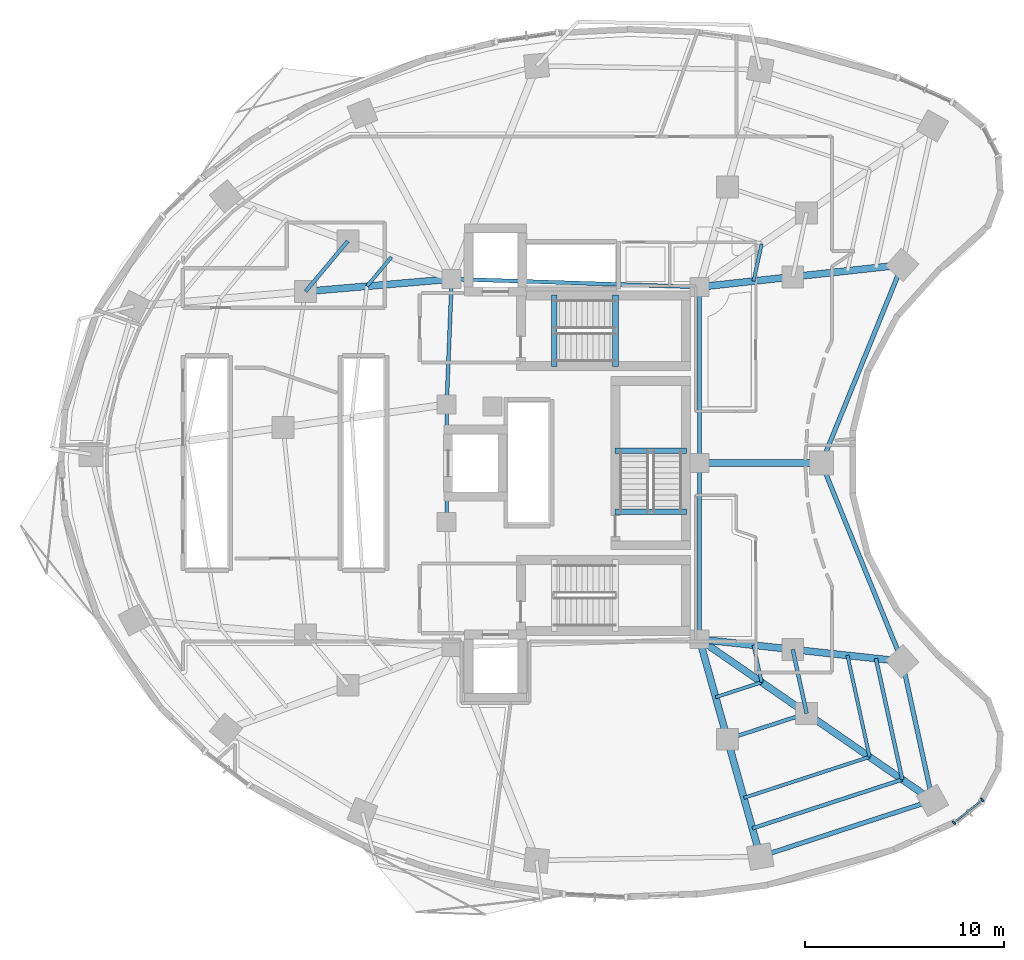
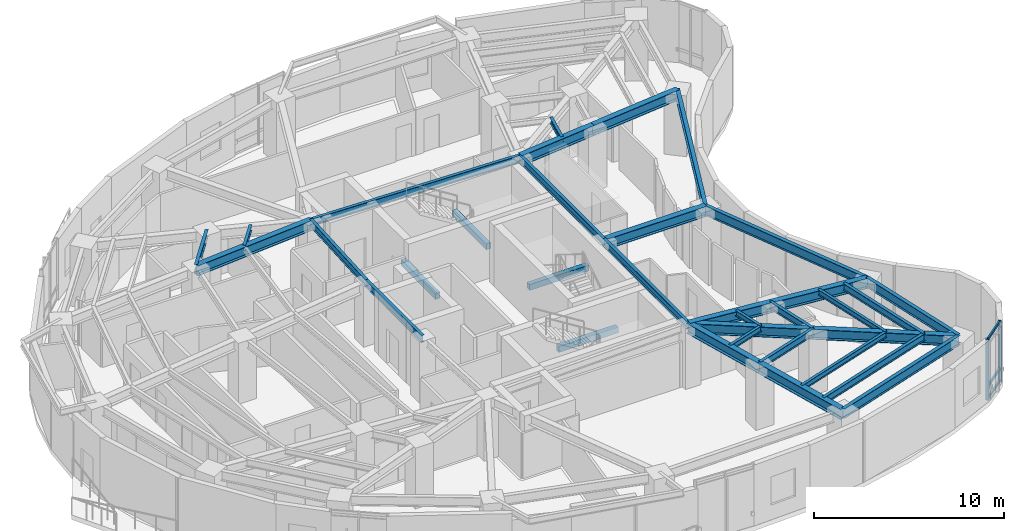
# One storey, part 3 of 13: 34 beams, 5 members, 1 element without a shape of its own.
"""IFC4 building model written with IfcOpenShell, lengths in metres."""

from ifc_helpers import new_model, si_unit, direction, frame, origin, origin_2d, place, context, subcontext, project, spatial, rectangle, i_section, extrude, material, layer, layer_set, material_profile, profile_set, type_object, element, aggregate, save


model = new_model("IFC4")

# Units and contexts
model_context = context("Model", 3, precision=1e-05, world=origin(), true_north=direction((0.0, 1.0)))
body_context = subcontext(model_context, "Body", "Model", "MODEL_VIEW")
ifc_project = project(units=[si_unit("LENGTHUNIT", "METRE"), si_unit("AREAUNIT", "SQUARE_METRE"), si_unit("VOLUMEUNIT", "CUBIC_METRE"), si_unit("PLANEANGLEUNIT", "RADIAN"), si_unit("MASSUNIT", "GRAM", prefix="KILO")], contexts=[model_context])

# Site, building, storey
site_placement = place(None, origin())
site = spatial("IfcSite", under=ifc_project, at=site_placement, CompositionType="ELEMENT")
building_placement = place(site_placement, origin())
building = spatial("IfcBuilding", under=site, at=building_placement, Name="Korentha Bioscience Tower", CompositionType="ELEMENT")
storey_placement = place(building_placement, frame((0.0, 0.0, 123.60009765625)))
storey = spatial("IfcBuildingStorey", under=building, at=storey_placement, Name="L28", CompositionType="ELEMENT", Elevation=123.60009765625)

# Beams
ifc_material_1 = material(Name="Concrete C50", Category="concrete")
ifc_material_profile_1 = material_profile(ifc_material_1, rectangle(XDim=0.280029296875, YDim=0.3798828125, at=origin_2d()), Name="Concrete C50")
ifc_profile_set_1 = profile_set([ifc_material_profile_1], Name="Concrete C50 (ST-HB380)")
beam_type_1 = type_object("IfcBeamType", Name="Concrete Stair Header Beam RC 280x380", PredefinedType="BEAM", material=ifc_profile_set_1)
for number, where, z_axis, x_axis, name in (
    (1, (30.25, 31.85009765625, -0.190185546875), (0.0, 1.0, 0.0), (-1.0, 0.0, 0.0), "L28 ST-1 Concrete Stair Header Beam"),
    (2, (33.330078125, 31.85009765625, 1.909912109375), (0.0, 1.0, 0.0), (-1.0, 0.0, 0.0), "L28 ST-1 Half-Landing Header Beam 1"),
    (3, (36.89990234375, 24.550048828125, -0.190185546875), (-1.0, 0.0, 0.0), (0.0, -1.0, 0.0), "L28 ST-3 Concrete Stair Header Beam"),
    (4, (36.89990234375, 27.6298828125, 1.909912109375), (-1.0, 0.0, 0.0), (0.0, -1.0, 0.0), "L28 ST-3 Half-Landing Header Beam 1"),
):
    element("IfcBeam", number, at=place(storey_placement, frame(where, z_axis=z_axis, x_axis=x_axis)), inside=storey, type_object=beam_type_1, Name=name, PredefinedType="BEAM", context=body_context, shape_type="SweptSolid", body=[
        extrude(rectangle(XDim=0.280029296875, YDim=0.3798828125, at=origin_2d()), origin(), (0.0, 0.0, 1.0), 3.599853515625),
    ])
ifc_material_2 = material(Name="Steel S355", Category="steel")
ifc_material_profile_2 = material_profile(ifc_material_2, i_section(OverallWidth=0.18994140625, OverallDepth=0.45703125, WebThickness=0.009033203125, FlangeThickness=0.014404296875, at=origin_2d()), Name="Steel S355")
ifc_profile_set_2 = profile_set([ifc_material_profile_2], Name="Steel S355 (MB-460)")
beam_type_2 = type_object("IfcBeamType", Name="Mid-Ring Tie Girder W460x74", PredefinedType="BEAM", material=ifc_profile_set_2)
beam_1_placement = place(storey_placement, frame((19.882568359375, 38.158935546875, 3.67138671875), z_axis=(-0.642121371708, -0.766602989817, 0.0), x_axis=(0.766602989817, -0.642121371708, 0.0)))
element("IfcBeam", 5, at=beam_1_placement, inside=storey, type_object=beam_type_2, Name="L28 Mid-Ring Tie Girder 05", PredefinedType="BEAM", context=body_context, shape_type="SweptSolid", body=[
    extrude(i_section(OverallWidth=0.18994140625, OverallDepth=0.45703125, WebThickness=0.009033203125, FlangeThickness=0.014404296875, at=origin_2d()), origin(), (0.0, 0.0, 1.0), 3.306640625),
])
beam_2_placement = place(storey_placement, frame((38.954833984375, 13.129150390625, 3.67138671875), z_axis=(0.95087582253, 0.309572560361, 0.0), x_axis=(-0.309572560361, 0.95087582253, 0.0)))
element("IfcBeam", 6, at=beam_2_placement, inside=storey, type_object=beam_type_2, Name="L28 Mid-Ring Tie Girder 12", PredefinedType="BEAM", context=body_context, shape_type="SweptSolid", body=[
    extrude(i_section(OverallWidth=0.18994140625, OverallDepth=0.45703125, WebThickness=0.009033203125, FlangeThickness=0.014404296875, at=origin_2d()), origin(), (0.0, 0.0, 1.0), 4.186767578125),
])
beam_3_placement = place(storey_placement, frame((42.93603515625, 14.42529296875, 3.67138671875), z_axis=(-0.212928773299, 0.977067724112, 0.0), x_axis=(-0.977067724112, -0.212928773299, 0.0)))
element("IfcBeam", 7, at=beam_3_placement, inside=storey, type_object=beam_type_2, Name="L28 Mid-Ring Tie Girder 13", PredefinedType="BEAM", context=body_context, shape_type="SweptSolid", body=[
    extrude(i_section(OverallWidth=0.18994140625, OverallDepth=0.45703125, WebThickness=0.009033203125, FlangeThickness=0.014404296875, at=origin_2d()), origin(), (0.0, 0.0, 1.0), 3.28955078125),
])
beam_4_placement = place(storey_placement, frame((37.550048828125, 35.85009765625, 3.67138671875), z_axis=(-0.999484526071, 0.032104238723, 0.0), x_axis=(-0.032104238723, -0.999484526071, 0.0)))
element("IfcBeam", 8, at=beam_4_placement, inside=storey, type_object=beam_type_2, Name="L28 Core Ring Tie Girder 01", PredefinedType="BEAM", context=body_context, shape_type="SweptSolid", body=[
    extrude(i_section(OverallWidth=0.18994140625, OverallDepth=0.45703125, WebThickness=0.009033203125, FlangeThickness=0.014404296875, at=origin_2d()), origin(), (0.0, 0.0, 1.0), 12.456298828125),
])
beam_5_placement = place(storey_placement, frame((25.10009765625, 36.25, 3.67138671875), z_axis=(-0.039651025576, -0.999213588864, 0.0), x_axis=(0.999213588864, -0.039651025576, 0.0)))
element("IfcBeam", 9, at=beam_5_placement, inside=storey, type_object=beam_type_2, Name="L28 Core Ring Tie Girder 02", PredefinedType="BEAM", context=body_context, shape_type="SweptSolid", body=[
    extrude(i_section(OverallWidth=0.18994140625, OverallDepth=0.45703125, WebThickness=0.009033203125, FlangeThickness=0.014404296875, at=origin_2d()), origin(), (0.0, 0.0, 1.0), 6.304931640625),
])
beam_6_placement = place(storey_placement, frame((24.85009765625, 29.949951171875, 3.67138671875), z_axis=(0.0, -1.0, 0.0), x_axis=(1.0, 0.0, 0.0)))
element("IfcBeam", 10, at=beam_6_placement, inside=storey, type_object=beam_type_2, Name="L28 Core Ring Tie Girder 03", PredefinedType="BEAM", context=body_context, shape_type="SweptSolid", body=[
    extrude(i_section(OverallWidth=0.18994140625, OverallDepth=0.45703125, WebThickness=0.009033203125, FlangeThickness=0.014404296875, at=origin_2d()), origin(), (0.0, 0.0, 1.0), 5.89990234375),
])
for number, where, z_axis, x_axis, name in (
    (11, (37.550048828125, 18.14990234375, 3.67138671875), (0.0, 1.0, 0.0), (-1.0, 0.0, 0.0), "L28 Core Ring Tie Girder 06"),
    (12, (37.550048828125, 27.0, 3.67138671875), (0.0, 1.0, 0.0), (-1.0, 0.0, 0.0), "L28 Core Ring Tie Girder 07"),
):
    element("IfcBeam", number, at=place(storey_placement, frame(where, z_axis=z_axis, x_axis=x_axis)), inside=storey, type_object=beam_type_2, Name=name, PredefinedType="BEAM", context=body_context, shape_type="SweptSolid", body=[
        extrude(i_section(OverallWidth=0.18994140625, OverallDepth=0.45703125, WebThickness=0.009033203125, FlangeThickness=0.014404296875, at=origin_2d()), origin(), (0.0, 0.0, 1.0), 8.85009765625),
    ])

# Curtain wall, members
ifc_material_3 = material(Name="Thermally Broken Aluminium Frame", Category="aluminium")
ifc_layer = layer(ifc_material_3, 0.219970703125, Name="Thermally Broken Aluminium Frame")
ifc_layer_set = layer_set([ifc_layer], Name="Thermally Broken Aluminium Frame (CW-T2)")
curtain_wall_type = type_object("IfcCurtainWallType", Name="Solar-Screened Lab Unitised Curtain Wall CW-T2", PredefinedType="USERDEFINED", material=ifc_layer_set)
curtain_wall_placement = place(storey_placement, origin())
curtain_wall = element("IfcCurtainWall", 13, at=curtain_wall_placement, inside=storey, type_object=curtain_wall_type, Name="L28 Curtain Wall 37", ObjectType="UNITISED", PredefinedType="USERDEFINED")
ifc_material_4 = material(Name="Anodised Aluminium 6063-T6", Category="aluminium")
ifc_material_profile_3 = material_profile(ifc_material_4, rectangle(XDim=0.090087890625, YDim=0.199951171875, at=origin_2d()), Name="Anodised Aluminium 6063-T6")
ifc_profile_set_3 = profile_set([ifc_material_profile_3], Name="Anodised Aluminium 6063-T6 (CW-MUL)")
member_type_1 = type_object("IfcMemberType", Name="Mullion RECT 90x200", PredefinedType="MULLION", material=ifc_profile_set_3)
member_1_placement = place(storey_placement, frame((50.337158203125, 8.931884765625, 0.0), z_axis=(0.0, 0.0, 1.0), x_axis=(0.777315301098, 0.629111216463, 0.0)))
member_1 = element("IfcMember", 14, at=member_1_placement, type_object=member_type_1, Name="CW-L28-37 Mullion 1", PredefinedType="MULLION", context=body_context, shape_type="SweptSolid", body=[
    extrude(rectangle(XDim=0.090087890625, YDim=0.199951171875, at=origin_2d()), origin(), (0.0, 0.0, 1.0), 3.89990234375),
])
member_2_placement = place(storey_placement, frame((51.7578125, 10.08154296875, 0.0), z_axis=(0.0, 0.0, 1.0), x_axis=(0.777315301098, 0.629111216463, 0.0)))
member_2 = element("IfcMember", 15, at=member_2_placement, type_object=member_type_1, Name="CW-L28-37 Mullion 2", PredefinedType="MULLION", context=body_context, shape_type="SweptSolid", body=[
    extrude(rectangle(XDim=0.090087890625, YDim=0.199951171875, at=origin_2d()), origin(), (0.0, 0.0, 1.0), 3.89990234375),
])

# Beams
ifc_material_profile_4 = material_profile(ifc_material_2, i_section(OverallWidth=0.22802734375, OverallDepth=0.60791015625, WebThickness=0.01123046875, FlangeThickness=0.017333984375, at=origin_2d()), Name="Steel S355")
ifc_profile_set_4 = profile_set([ifc_material_profile_4], Name="Steel S355 (SB-610)")
beam_type_3 = type_object("IfcBeamType", Name="Perimeter Ring Spandrel Girder W610x113", PredefinedType="SPANDREL", material=ifc_profile_set_4)
beam_7_placement = place(storey_placement, frame((40.604248046875, 7.235107421875, 3.595947265625), z_axis=(0.950867758759, 0.309597327755, 0.0), x_axis=(-0.309597327755, 0.950867758759, 0.0)))
element("IfcBeam", 16, at=beam_7_placement, inside=storey, type_object=beam_type_3, Name="L28 Perimeter Spandrel Girder 12", PredefinedType="SPANDREL", context=body_context, shape_type="SweptSolid", body=[
    extrude(i_section(OverallWidth=0.22802734375, OverallDepth=0.60791015625, WebThickness=0.01123046875, FlangeThickness=0.017333984375, at=origin_2d()), origin(), (0.0, 0.0, 1.0), 9.101806640625),
])
beam_8_placement = place(storey_placement, frame((49.2587890625, 10.052978515625, 3.595947265625), z_axis=(-0.212927102256, 0.977068088275, 0.0), x_axis=(-0.977068088275, -0.212927102256, 0.0)))
element("IfcBeam", 17, at=beam_8_placement, inside=storey, type_object=beam_type_3, Name="L28 Perimeter Spandrel Girder 13", PredefinedType="SPANDREL", context=body_context, shape_type="SweptSolid", body=[
    extrude(i_section(OverallWidth=0.22802734375, OverallDepth=0.60791015625, WebThickness=0.01123046875, FlangeThickness=0.017333984375, at=origin_2d()), origin(), (0.0, 0.0, 1.0), 7.1513671875),
])
for number, where, z_axis, x_axis, name in (
    (18, (47.736083984375, 17.040283203125, 3.595947265625), (-0.37709856037, 0.926173134876, 0.0), (-0.926173134876, -0.37709856037, 0.0), "L28 Perimeter Spandrel Girder 14"),
    (19, (43.680908203125, 27.0, 3.595947265625), (0.37709856037, 0.926173134876, 0.0), (-0.926173134876, 0.37709856037, 0.0), "L28 Perimeter Spandrel Girder 15"),
):
    element("IfcBeam", number, at=place(storey_placement, frame(where, z_axis=z_axis, x_axis=x_axis)), inside=storey, type_object=beam_type_3, Name=name, PredefinedType="SPANDREL", context=body_context, shape_type="SweptSolid", body=[
        extrude(i_section(OverallWidth=0.22802734375, OverallDepth=0.60791015625, WebThickness=0.01123046875, FlangeThickness=0.017333984375, at=origin_2d()), origin(), (0.0, 0.0, 1.0), 10.753662109375),
    ])
ifc_material_profile_5 = material_profile(ifc_material_2, i_section(OverallWidth=0.18994140625, OverallDepth=0.45703125, WebThickness=0.009033203125, FlangeThickness=0.014404296875, at=origin_2d()), Name="Steel S355")
ifc_profile_set_5 = profile_set([ifc_material_profile_5], Name="Steel S355 (RB-460)")
beam_type_4 = type_object("IfcBeamType", Name="Radial Laboratory Beam W460x74", PredefinedType="BEAM", material=ifc_profile_set_5)
beam_9_placement = place(storey_placement, frame((40.20849609375, 8.64990234375, 3.67138671875), z_axis=(0.950866789802, 0.3096003037, 0.0), x_axis=(-0.3096003037, 0.950866789802, 0.0)))
element("IfcBeam", 20, at=beam_9_placement, inside=storey, type_object=beam_type_4, Name="L28 Secondary Floor Beam JSTO-12", PredefinedType="BEAM", context=body_context, shape_type="SweptSolid", body=[
    extrude(i_section(OverallWidth=0.18994140625, OverallDepth=0.45703125, WebThickness=0.009033203125, FlangeThickness=0.014404296875, at=origin_2d()), origin(), (0.0, 0.0, 1.0), 7.921875),
])
beam_10_placement = place(storey_placement, frame((47.7412109375, 11.1025390625, 3.67138671875), z_axis=(-0.21290837934, 0.977072168269, 0.0), x_axis=(-0.977072168269, -0.21290837934, 0.0)))
element("IfcBeam", 21, at=beam_10_placement, inside=storey, type_object=beam_type_4, Name="L28 Secondary Floor Beam JSTO-13", PredefinedType="BEAM", context=body_context, shape_type="SweptSolid", body=[
    extrude(i_section(OverallWidth=0.18994140625, OverallDepth=0.45703125, WebThickness=0.009033203125, FlangeThickness=0.014404296875, at=origin_2d()), origin(), (0.0, 0.0, 1.0), 6.224365234375),
])
ifc_material_profile_6 = material_profile(ifc_material_2, i_section(OverallWidth=0.35009765625, OverallDepth=0.64990234375, WebThickness=0.01611328125, FlangeThickness=0.02490234375, at=origin_2d()), Name="Steel S355")
ifc_profile_set_6 = profile_set([ifc_material_profile_6], Name="Steel S355 (RB-650)")
beam_type_5 = type_object("IfcBeamType", Name="Radial Laboratory Girder CVS 650x208", PredefinedType="BEAM", material=ifc_profile_set_6)
beam_11_placement = place(storey_placement, frame((25.10009765625, 36.25, 3.574951171875), z_axis=(-0.996383934197, -0.084965026183, 0.0), x_axis=(0.084965026183, -0.996383934197, 0.0)))
element("IfcBeam", 22, at=beam_11_placement, inside=storey, type_object=beam_type_5, Name="L28 Inner Radial Girder 06", PredefinedType="BEAM", context=body_context, shape_type="SweptSolid", body=[
    extrude(i_section(OverallWidth=0.35009765625, OverallDepth=0.64990234375, WebThickness=0.01611328125, FlangeThickness=0.02490234375, at=origin_2d()), origin(), (0.0, 0.0, 1.0), 7.367431640625),
])
beam_12_placement = place(storey_placement, frame((37.550048828125, 18.14990234375, 3.574951171875), z_axis=(0.269447542125, -0.96301506844, 0.0), x_axis=(0.96301506844, 0.269447542125, 0.0)))
element("IfcBeam", 23, at=beam_12_placement, inside=storey, type_object=beam_type_5, Name="L28 Inner Radial Girder 12", PredefinedType="BEAM", context=body_context, shape_type="SweptSolid", body=[
    extrude(i_section(OverallWidth=0.35009765625, OverallDepth=0.64990234375, WebThickness=0.01611328125, FlangeThickness=0.02490234375, at=origin_2d()), origin(), (0.0, 0.0, 1.0), 5.213623046875),
])
beam_13_placement = place(storey_placement, frame((38.954833984375, 13.129150390625, 3.574951171875), z_axis=(0.269490843458, -0.963002951861, 0.0), x_axis=(0.963002951861, 0.269490843458, 0.0)))
element("IfcBeam", 24, at=beam_13_placement, inside=storey, type_object=beam_type_5, Name="L28 Outer Radial Girder 12", PredefinedType="BEAM", context=body_context, shape_type="SweptSolid", body=[
    extrude(i_section(OverallWidth=0.35009765625, OverallDepth=0.64990234375, WebThickness=0.01611328125, FlangeThickness=0.02490234375, at=origin_2d()), origin(), (0.0, 0.0, 1.0), 6.120361328125),
])
beam_14_placement = place(storey_placement, frame((37.550048828125, 18.14990234375, 3.574951171875), z_axis=(0.822488699387, -0.568781451333, 0.0), x_axis=(0.568781451333, 0.822488699387, 0.0)))
element("IfcBeam", 25, at=beam_14_placement, inside=storey, type_object=beam_type_5, Name="L28 Inner Radial Girder 13", PredefinedType="BEAM", context=body_context, shape_type="SweptSolid", body=[
    extrude(i_section(OverallWidth=0.35009765625, OverallDepth=0.64990234375, WebThickness=0.01611328125, FlangeThickness=0.02490234375, at=origin_2d()), origin(), (0.0, 0.0, 1.0), 6.54833984375),
])
beam_15_placement = place(storey_placement, frame((42.93603515625, 14.42529296875, 3.574951171875), z_axis=(0.822495056204, -0.568772258922, 0.0), x_axis=(0.568772258922, 0.822495056204, 0.0)))
element("IfcBeam", 26, at=beam_15_placement, inside=storey, type_object=beam_type_5, Name="L28 Outer Radial Girder 13", PredefinedType="BEAM", context=body_context, shape_type="SweptSolid", body=[
    extrude(i_section(OverallWidth=0.35009765625, OverallDepth=0.64990234375, WebThickness=0.01611328125, FlangeThickness=0.02490234375, at=origin_2d()), origin(), (0.0, 0.0, 1.0), 7.687255859375),
])
beam_16_placement = place(storey_placement, frame((37.550048828125, 18.14990234375, 3.574951171875), z_axis=(0.994117092476, -0.108310694058, 0.0), x_axis=(0.108310694058, 0.994117092476, 0.0)))
element("IfcBeam", 27, at=beam_16_placement, inside=storey, type_object=beam_type_5, Name="L28 Inner Radial Girder 14", PredefinedType="BEAM", context=body_context, shape_type="SweptSolid", body=[
    extrude(i_section(OverallWidth=0.35009765625, OverallDepth=0.64990234375, WebThickness=0.01611328125, FlangeThickness=0.02490234375, at=origin_2d()), origin(), (0.0, 0.0, 1.0), 4.71337890625),
])
beam_17_placement = place(storey_placement, frame((42.235595703125, 17.639404296875, 3.574951171875), z_axis=(0.994120325557, -0.108281015487, 0.0), x_axis=(0.108281015487, 0.994120325557, 0.0)))
element("IfcBeam", 28, at=beam_17_placement, inside=storey, type_object=beam_type_5, Name="L28 Outer Radial Girder 14", PredefinedType="BEAM", context=body_context, shape_type="SweptSolid", body=[
    extrude(i_section(OverallWidth=0.35009765625, OverallDepth=0.64990234375, WebThickness=0.01611328125, FlangeThickness=0.02490234375, at=origin_2d()), origin(), (0.0, 0.0, 1.0), 5.532958984375),
])
beam_18_placement = place(storey_placement, frame((37.550048828125, 27.0, 3.574951171875), z_axis=(1.0, 0.0, 0.0), x_axis=(0.0, 1.0, 0.0)))
element("IfcBeam", 29, at=beam_18_placement, inside=storey, type_object=beam_type_5, Name="L28 Radial Girder 15", PredefinedType="BEAM", context=body_context, shape_type="SweptSolid", body=[
    extrude(i_section(OverallWidth=0.35009765625, OverallDepth=0.64990234375, WebThickness=0.01611328125, FlangeThickness=0.02490234375, at=origin_2d()), origin(), (0.0, 0.0, 1.0), 6.130859375),
])
beam_19_placement = place(storey_placement, frame((37.550048828125, 35.85009765625, 3.574951171875), z_axis=(0.994117092476, 0.108310694058, 0.0), x_axis=(-0.108310694058, 0.994117092476, 0.0)))
element("IfcBeam", 30, at=beam_19_placement, inside=storey, type_object=beam_type_5, Name="L28 Inner Radial Girder 16", PredefinedType="BEAM", context=body_context, shape_type="SweptSolid", body=[
    extrude(i_section(OverallWidth=0.35009765625, OverallDepth=0.64990234375, WebThickness=0.01611328125, FlangeThickness=0.02490234375, at=origin_2d()), origin(), (0.0, 0.0, 1.0), 4.71337890625),
])
beam_20_placement = place(storey_placement, frame((42.235595703125, 36.360595703125, 3.574951171875), z_axis=(0.994120325557, 0.108281015487, 0.0), x_axis=(-0.108281015487, 0.994120325557, 0.0)))
element("IfcBeam", 31, at=beam_20_placement, inside=storey, type_object=beam_type_5, Name="L28 Outer Radial Girder 16", PredefinedType="BEAM", context=body_context, shape_type="SweptSolid", body=[
    extrude(i_section(OverallWidth=0.35009765625, OverallDepth=0.64990234375, WebThickness=0.01611328125, FlangeThickness=0.02490234375, at=origin_2d()), origin(), (0.0, 0.0, 1.0), 5.532958984375),
])
ifc_material_profile_7 = material_profile(ifc_material_2, i_section(OverallWidth=0.1708984375, OverallDepth=0.35498046875, WebThickness=0.007080078125, FlangeThickness=0.01171875, at=origin_2d()), Name="Steel S355")
ifc_profile_set_7 = profile_set([ifc_material_profile_7], Name="Steel S355 (JB-360)")
beam_type_6 = type_object("IfcBeamType", Name="Secondary Laboratory Joist W360x51", PredefinedType="JOIST", material=ifc_profile_set_7)
beam_21_placement = place(storey_placement, frame((22.073974609375, 37.357177734375, 3.722412109375), z_axis=(-0.64218549873, -0.766549271229, 0.0), x_axis=(0.766549271229, -0.64218549873, 0.0)))
element("IfcBeam", 32, at=beam_21_placement, inside=storey, type_object=beam_type_6, Name="L28 Inner Bay Joist 05", PredefinedType="JOIST", context=body_context, shape_type="SweptSolid", body=[
    extrude(i_section(OverallWidth=0.1708984375, OverallDepth=0.35498046875, WebThickness=0.007080078125, FlangeThickness=0.01171875, at=origin_2d()), origin(), (0.0, 0.0, 1.0), 1.91796875),
])
beam_22_placement = place(storey_placement, frame((39.779541015625, 10.18212890625, 3.722412109375), z_axis=(0.950864890997, 0.309606135387, 0.0), x_axis=(-0.309606135387, 0.950864890997, 0.0)))
element("IfcBeam", 33, at=beam_22_placement, inside=storey, type_object=beam_type_6, Name="L28 Secondary Floor Beam JST-12", PredefinedType="JOIST", context=body_context, shape_type="SweptSolid", body=[
    extrude(i_section(OverallWidth=0.1708984375, OverallDepth=0.35498046875, WebThickness=0.007080078125, FlangeThickness=0.01171875, at=origin_2d()), origin(), (0.0, 0.0, 1.0), 6.644287109375),
])
beam_23_placement = place(storey_placement, frame((38.36474609375, 15.23779296875, 3.722412109375), z_axis=(0.950852158547, 0.30964523666, 0.0), x_axis=(-0.30964523666, 0.950852158547, 0.0)))
element("IfcBeam", 34, at=beam_23_placement, inside=storey, type_object=beam_type_6, Name="L28 Inner Bay Joist 12", PredefinedType="JOIST", context=body_context, shape_type="SweptSolid", body=[
    extrude(i_section(OverallWidth=0.1708984375, OverallDepth=0.35498046875, WebThickness=0.007080078125, FlangeThickness=0.01171875, at=origin_2d()), origin(), (0.0, 0.0, 1.0), 2.428466796875),
])
beam_24_placement = place(storey_placement, frame((46.097412109375, 12.2392578125, 3.722412109375), z_axis=(-0.212932493609, 0.977066913351, 0.0), x_axis=(-0.977066913351, -0.212932493609, 0.0)))
element("IfcBeam", 35, at=beam_24_placement, inside=storey, type_object=beam_type_6, Name="L28 Secondary Floor Beam JST-13", PredefinedType="JOIST", context=body_context, shape_type="SweptSolid", body=[
    extrude(i_section(OverallWidth=0.1708984375, OverallDepth=0.35498046875, WebThickness=0.007080078125, FlangeThickness=0.01171875, at=origin_2d()), origin(), (0.0, 0.0, 1.0), 5.22021484375),
])
for number, where, z_axis, x_axis, name in (
    (36, (40.673828125, 15.98974609375, 3.722412109375), (-0.212918344001, 0.977069996872, 0.0), (-0.977069996872, -0.212918344001, 0.0), "L28 Inner Bay Joist 13"),
    (37, (40.267578125, 36.14599609375, 3.722412109375), (0.212918344001, 0.977069996872, 0.0), (-0.977069996872, 0.212918344001, 0.0), "L28 Inner Bay Joist 16"),
):
    element("IfcBeam", number, at=place(storey_placement, frame(where, z_axis=z_axis, x_axis=x_axis)), inside=storey, type_object=beam_type_6, Name=name, PredefinedType="JOIST", context=body_context, shape_type="SweptSolid", body=[
        extrude(i_section(OverallWidth=0.1708984375, OverallDepth=0.35498046875, WebThickness=0.007080078125, FlangeThickness=0.01171875, at=origin_2d()), origin(), (0.0, 0.0, 1.0), 1.907958984375),
    ])

# Member
ifc_material_profile_8 = material_profile(ifc_material_4, rectangle(XDim=0.090087890625, YDim=0.159912109375, at=origin_2d()), Name="Anodised Aluminium 6063-T6")
ifc_profile_set_8 = profile_set([ifc_material_profile_8], Name="Anodised Aluminium 6063-T6 (CW-TRN)")
member_type_2 = type_object("IfcMemberType", Name="Transom RECT 90x160", PredefinedType="USERDEFINED", material=ifc_profile_set_8)
member_3_placement = place(storey_placement, frame((50.3720703125, 8.960205078125, 0.044921875), z_axis=(0.777333214738, 0.629089082137, 0.0), x_axis=(-0.629089082137, 0.777333214738, 0.0)))
member_3 = element("IfcMember", 38, at=member_3_placement, type_object=member_type_2, Name="CW-L28-37 Bay 1 Transom 1", ObjectType="TRANSOM", PredefinedType="USERDEFINED", context=body_context, shape_type="SweptSolid", body=[
    extrude(rectangle(XDim=0.090087890625, YDim=0.159912109375, at=origin_2d()), origin(), (0.0, 0.0, 1.0), 1.737548828125),
])

member_4_placement = place(storey_placement, frame((50.3720703125, 8.960205078125, 0.849853515625), z_axis=(0.777333214738, 0.629089082137, 0.0), x_axis=(-0.629089082137, 0.777333214738, 0.0)))
member_4 = element("IfcMember", 39, at=member_4_placement, type_object=member_type_2, Name="CW-L28-37 Bay 1 Transom 2", ObjectType="TRANSOM", PredefinedType="USERDEFINED", context=body_context, shape_type="SweptSolid", body=[
    extrude(rectangle(XDim=0.090087890625, YDim=0.159912109375, at=origin_2d()), origin(), (0.0, 0.0, 1.0), 1.737548828125),
])

member_5_placement = place(storey_placement, frame((50.3720703125, 8.960205078125, 3.85498046875), z_axis=(0.777333214738, 0.629089082137, 0.0), x_axis=(-0.629089082137, 0.777333214738, 0.0)))
member_5 = element("IfcMember", 40, at=member_5_placement, type_object=member_type_2, Name="CW-L28-37 Bay 1 Transom 3", ObjectType="TRANSOM", PredefinedType="USERDEFINED", context=body_context, shape_type="SweptSolid", body=[
    extrude(rectangle(XDim=0.090087890625, YDim=0.159912109375, at=origin_2d()), origin(), (0.0, 0.0, 1.0), 1.737548828125),
])

aggregate(curtain_wall, [member_1, member_2, member_3, member_4, member_5])

save(model, "model.ifc")
